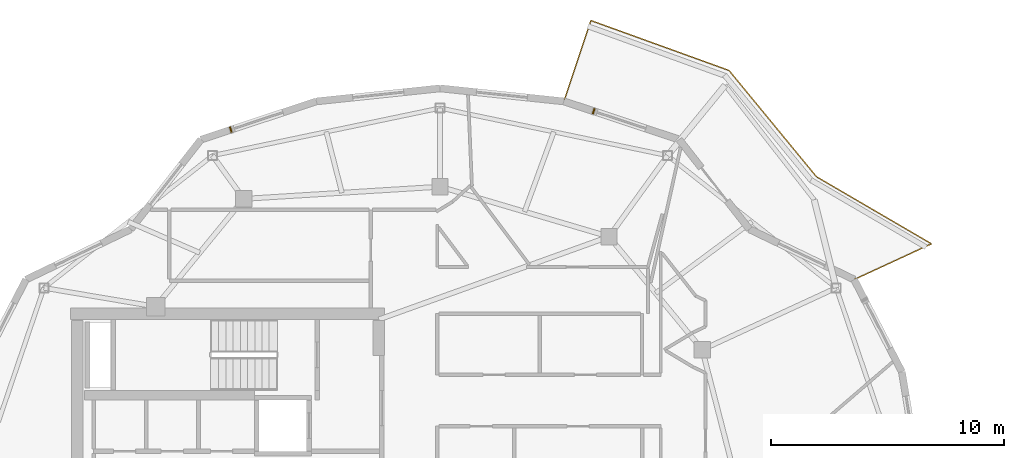
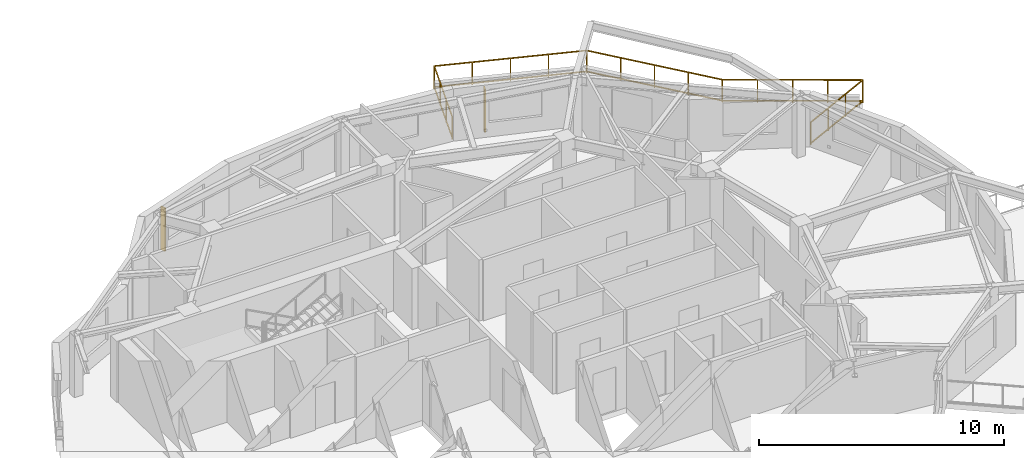
# One storey, part 11 of 11: 2 shading devices, 1 railing.
"""IFC4 building model written with IfcOpenShell, lengths in metres."""

from ifc_helpers import new_model, si_unit, direction, frame, origin, origin_2d, place, context, subcontext, project, spatial, rectangle, extrude, material, type_object, element, save


model = new_model("IFC4")

# Units and contexts
model_context = context("Model", 3, precision=1e-05, world=origin(), true_north=direction((0.0, 1.0)))
body_context = subcontext(model_context, "Body", "Model", "MODEL_VIEW")
ifc_project = project(units=[si_unit("LENGTHUNIT", "METRE"), si_unit("AREAUNIT", "SQUARE_METRE"), si_unit("VOLUMEUNIT", "CUBIC_METRE"), si_unit("PLANEANGLEUNIT", "RADIAN"), si_unit("MASSUNIT", "GRAM", prefix="KILO")], contexts=[model_context])

# Site, building, storey
site_placement = place(None, origin())
site = spatial("IfcSite", under=ifc_project, at=site_placement, CompositionType="ELEMENT")
building_placement = place(site_placement, origin())
building = spatial("IfcBuilding", under=site, at=building_placement, Name="Kolvaren Gate Tower and Convention Centre", CompositionType="ELEMENT")
storey_placement = place(building_placement, frame((0.0, 0.0, 262.39990234375)))
storey = spatial("IfcBuildingStorey", under=building, at=storey_placement, Name="L71", CompositionType="ELEMENT", Elevation=262.39990234375)

# Railing
ifc_material_1 = material(Name="Brushed Stainless Steel Grade 316L", Category="steel")
railing_type = type_object("IfcRailingType", Name="ARCH-RL-GUARD-1150", PredefinedType="GUARDRAIL", material=ifc_material_1)
railing_placement = place(storey_placement, frame((47.905517578125, 35.21240234375, 0.0)))
element("IfcRailing", 1, at=railing_placement, inside=storey, type_object=railing_type, Name="Tower L71 Terrace Perimeter Guardrail GR-1", PredefinedType="GUARDRAIL", context=body_context, shape_type="SweptSolid", body=[
    extrude(rectangle(XDim=0.048095703125, YDim=0.048095703125, at=origin_2d()), frame((0.025390625, 0.01171875, 1.1259765625), z_axis=(0.907820723829, 0.419358478377, 0.0), x_axis=(-0.419358478377, 0.907820723829, 0.0)), (0.0, 0.0, 1.0), 3.60400390625),
    extrude(rectangle(XDim=0.048095703125, YDim=0.048095703125, at=origin_2d()), frame((0.025390625, 0.01171875, 0.083984375), z_axis=(0.907820723829, 0.419358478377, 0.0), x_axis=(-0.419358478377, 0.907820723829, 0.0)), (0.0, 0.0, 1.0), 3.60400390625),
    extrude(rectangle(XDim=0.048095703125, YDim=0.048095703125, at=origin_2d()), frame((3.298583984375, 1.549072265625, 1.1259765625), z_axis=(-0.863803671285, 0.503828559606, 0.0), x_axis=(-0.503828559606, -0.863803671285, 0.0)), (0.0, 0.0, 1.0), 5.663330078125),
    extrude(rectangle(XDim=0.048095703125, YDim=0.048095703125, at=origin_2d()), frame((3.298583984375, 1.549072265625, 0.083984375), z_axis=(-0.863803671285, 0.503828559606, 0.0), x_axis=(-0.503828559606, -0.863803671285, 0.0)), (0.0, 0.0, 1.0), 5.663330078125),
    extrude(rectangle(XDim=0.048095703125, YDim=0.048095703125, at=origin_2d()), frame((-1.635498046875, 4.438232421875, 1.1259765625), z_axis=(-0.635426304589, 0.772161519008, 0.0), x_axis=(-0.772161519008, -0.635426304589, 0.0)), (0.0, 0.0, 1.0), 5.85400390625),
    extrude(rectangle(XDim=0.048095703125, YDim=0.048095703125, at=origin_2d()), frame((-1.635498046875, 4.438232421875, 0.083984375), z_axis=(-0.635426304589, 0.772161519008, 0.0), x_axis=(-0.772161519008, -0.635426304589, 0.0)), (0.0, 0.0, 1.0), 5.85400390625),
    extrude(rectangle(XDim=0.048095703125, YDim=0.048095703125, at=origin_2d()), frame((-5.3994140625, 8.989501953125, 1.1259765625), z_axis=(-0.940477613992, 0.339855642267, 0.0), x_axis=(-0.339855642267, -0.940477613992, 0.0)), (0.0, 0.0, 1.0), 6.25048828125),
    extrude(rectangle(XDim=0.048095703125, YDim=0.048095703125, at=origin_2d()), frame((-5.3994140625, 8.989501953125, 0.083984375), z_axis=(-0.940477613992, 0.339855642267, 0.0), x_axis=(-0.339855642267, -0.940477613992, 0.0)), (0.0, 0.0, 1.0), 6.25048828125),
    extrude(rectangle(XDim=0.048095703125, YDim=0.048095703125, at=origin_2d()), frame((-11.31298828125, 11.0966796875, 1.1259765625), z_axis=(-0.317588247294, -0.948228719867, 0.0), x_axis=(0.948228719867, -0.317588247294, 0.0)), (0.0, 0.0, 1.0), 3.603759765625),
    extrude(rectangle(XDim=0.048095703125, YDim=0.048095703125, at=origin_2d()), frame((-11.31298828125, 11.0966796875, 0.083984375), z_axis=(-0.317588247294, -0.948228719867, 0.0), x_axis=(0.948228719867, -0.317588247294, 0.0)), (0.0, 0.0, 1.0), 3.603759765625),
    extrude(rectangle(XDim=0.0419921875, YDim=0.0419921875, at=origin_2d()), origin(), (0.0, 0.0, 1.0), 1.14990234375),
    extrude(rectangle(XDim=0.0419921875, YDim=0.0419921875, at=origin_2d()), frame((3.32275390625, 1.534912109375, 0.0)), (0.0, 0.0, 1.0), 1.14990234375),
    extrude(rectangle(XDim=0.0419921875, YDim=0.0419921875, at=origin_2d()), frame((1.107666015625, 0.51171875, 0.0)), (0.0, 0.0, 1.0), 1.099853515625),
    extrude(rectangle(XDim=0.0419921875, YDim=0.0419921875, at=origin_2d()), frame((2.215087890625, 1.023193359375, 0.0)), (0.0, 0.0, 1.0), 1.099853515625),
    extrude(rectangle(XDim=0.0419921875, YDim=0.0419921875, at=origin_2d()), frame((-1.61767578125, 4.41650390625, 0.0)), (0.0, 0.0, 1.0), 1.14990234375),
    extrude(rectangle(XDim=0.0419921875, YDim=0.0419921875, at=origin_2d()), frame((2.087646484375, 2.25537109375, 0.0)), (0.0, 0.0, 1.0), 1.099853515625),
    extrude(rectangle(XDim=0.0419921875, YDim=0.0419921875, at=origin_2d()), frame((0.8525390625, 2.9755859375, 0.0)), (0.0, 0.0, 1.0), 1.099853515625),
    extrude(rectangle(XDim=0.0419921875, YDim=0.0419921875, at=origin_2d()), frame((-0.382568359375, 3.696044921875, 0.0)), (0.0, 0.0, 1.0), 1.099853515625),
    extrude(rectangle(XDim=0.0419921875, YDim=0.0419921875, at=origin_2d()), frame((-5.373046875, 8.97998046875, 0.0)), (0.0, 0.0, 1.0), 1.14990234375),
    extrude(rectangle(XDim=0.0419921875, YDim=0.0419921875, at=origin_2d()), frame((-2.556640625, 5.557373046875, 0.0)), (0.0, 0.0, 1.0), 1.099853515625),
    extrude(rectangle(XDim=0.0419921875, YDim=0.0419921875, at=origin_2d()), frame((-3.495361328125, 6.6982421875, 0.0)), (0.0, 0.0, 1.0), 1.099853515625),
    extrude(rectangle(XDim=0.0419921875, YDim=0.0419921875, at=origin_2d()), frame((-4.43408203125, 7.839111328125, 0.0)), (0.0, 0.0, 1.0), 1.099853515625),
    extrude(rectangle(XDim=0.0419921875, YDim=0.0419921875, at=origin_2d()), frame((-11.30419921875, 11.123291015625, 0.0)), (0.0, 0.0, 1.0), 1.14990234375),
    extrude(rectangle(XDim=0.0419921875, YDim=0.0419921875, at=origin_2d()), frame((-6.85595703125, 9.515869140625, 0.0)), (0.0, 0.0, 1.0), 1.099853515625),
    extrude(rectangle(XDim=0.0419921875, YDim=0.0419921875, at=origin_2d()), frame((-8.338623046875, 10.0517578125, 0.0)), (0.0, 0.0, 1.0), 1.099853515625),
    extrude(rectangle(XDim=0.0419921875, YDim=0.0419921875, at=origin_2d()), frame((-9.8212890625, 10.58740234375, 0.0)), (0.0, 0.0, 1.0), 1.099853515625),
    extrude(rectangle(XDim=0.0419921875, YDim=0.0419921875, at=origin_2d()), frame((-12.466552734375, 7.65283203125, 0.0)), (0.0, 0.0, 1.0), 1.14990234375),
    extrude(rectangle(XDim=0.0419921875, YDim=0.0419921875, at=origin_2d()), frame((-11.691650390625, 9.966552734375, 0.0)), (0.0, 0.0, 1.0), 1.099853515625),
    extrude(rectangle(XDim=0.0419921875, YDim=0.0419921875, at=origin_2d()), frame((-12.0791015625, 8.8095703125, 0.0)), (0.0, 0.0, 1.0), 1.099853515625),
])

# Shading devices
ifc_material_2 = material(Name="Kiln-Fired Bogota Terracotta Ceramic Louvre Profile", Category="masonry")
shading_device_type = type_object("IfcShadingDeviceType", Name="ARCH-SHD-FIN-180", PredefinedType="JALOUSIE", material=ifc_material_2)
for number, where, z_axis, x_axis, name in (
    (2, (36.718505859375, 42.44140625, 0.22021484375), (0.0, 0.0, 1.0), (0.949243375549, -0.314542547163, 0.0), "Ceramic Vertical Brise-Soleil Fin FN-L71-04"),
    (3, (21.138916015625, 41.6484375, 0.22021484375), (0.0, 0.0, 1.0), (0.949243375549, 0.314542547163, 0.0), "Ceramic Vertical Brise-Soleil Fin FN-L71-07"),
):
    element("IfcShadingDevice", number, at=place(storey_placement, frame(where, z_axis=z_axis, x_axis=x_axis)), inside=storey, type_object=shading_device_type, Name=name, PredefinedType="JALOUSIE", context=body_context, shape_type="SweptSolid", body=[
        extrude(rectangle(XDim=0.06005859375, YDim=0.239990234375, at=origin_2d()), origin(), (0.0, 0.0, 1.0), 2.14990234375),
    ])

save(model, "model.ifc")
